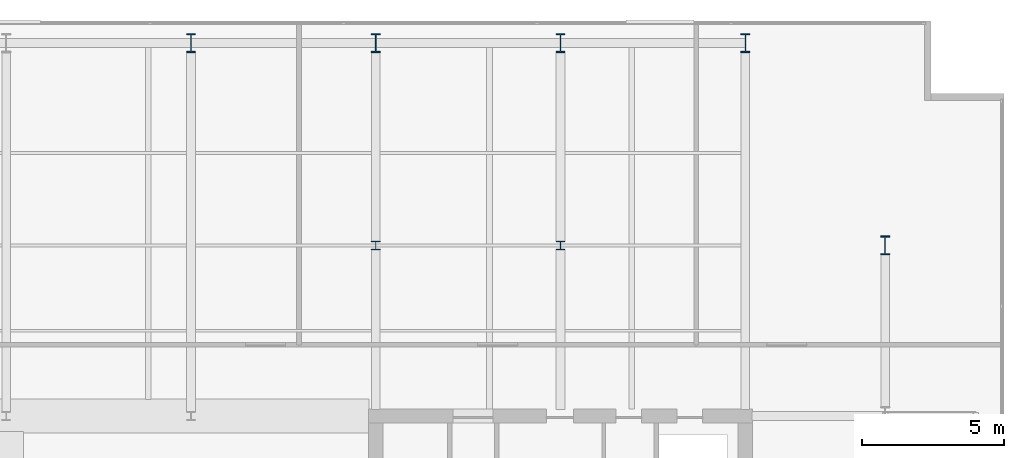
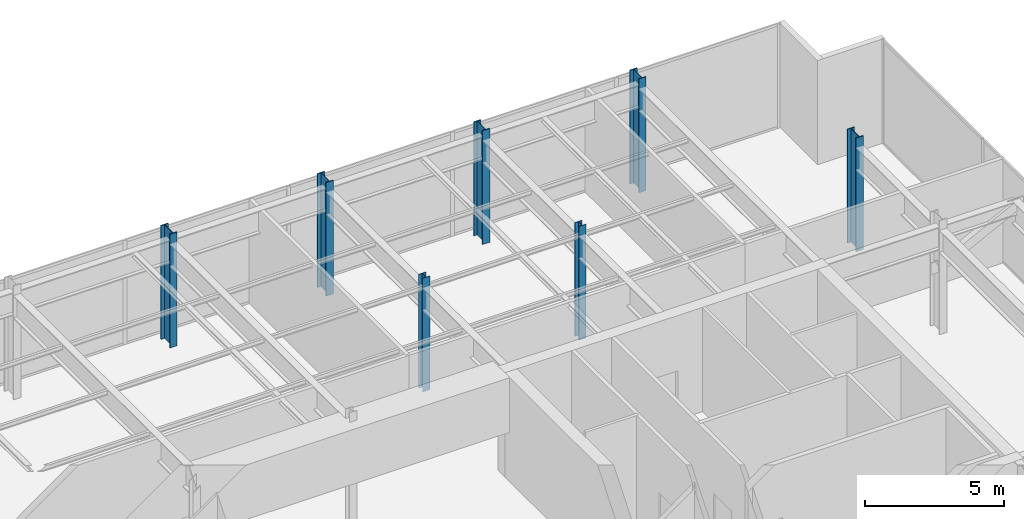
# One storey, part 4 of 21: 7 columns.
"""IFC4 building model written with IfcOpenShell, lengths in metres."""

from ifc_helpers import new_model, si_unit, direction, frame, origin, origin_2d, place, context, subcontext, project, spatial, i_section, extrude, material, material_profile, profile_set, type_object, element, save


model = new_model("IFC4")

# Units and contexts
model_context = context("Model", 3, precision=1e-05, world=origin(), true_north=direction((0.0, 1.0)))
body_context = subcontext(model_context, "Body", "Model", "MODEL_VIEW")
ifc_project = project(units=[si_unit("LENGTHUNIT", "METRE"), si_unit("AREAUNIT", "SQUARE_METRE"), si_unit("VOLUMEUNIT", "CUBIC_METRE"), si_unit("PLANEANGLEUNIT", "RADIAN"), si_unit("MASSUNIT", "GRAM", prefix="KILO")], contexts=[model_context])

# Site, building, storey
site_placement = place(None, origin())
site = spatial("IfcSite", under=ifc_project, at=site_placement, CompositionType="ELEMENT")
building_placement = place(site_placement, origin())
building = spatial("IfcBuilding", under=site, at=building_placement, Name="Putna Gate Headquarters", CompositionType="ELEMENT")
storey_placement = place(building_placement, frame((0.0, 0.0, 315.39990234375)))
storey = spatial("IfcBuildingStorey", under=building, at=storey_placement, Name="L79", CompositionType="ELEMENT", Elevation=315.39990234375)

# Columns
ifc_material = material(Name="Steel S460M", Category="steel")
ifc_material_profile_1 = material_profile(ifc_material, i_section(OverallWidth=0.300048828125, OverallDepth=0.300048828125, WebThickness=0.010986328125, FlangeThickness=0.01904296875, at=origin_2d()), Name="Steel S460M")
ifc_profile_set_1 = profile_set([ifc_material_profile_1], Name="Steel S460M")
column_type_1 = type_object("IfcColumnType", Name="COL-STL-HEB300-CRN", PredefinedType="COLUMN", material=ifc_profile_set_1)
for number, where, z_axis, x_axis, name in (
    (1, (58.5, 39.0, 0.0), (0.0, 0.0, 1.0), (1.0, 0.0, 0.0), "L79 Column CSI-EN"),
    (2, (52.0, 39.0, 0.0), (0.0, 0.0, 1.0), (1.0, 0.0, 0.0), "L79 Column CAP-EN"),
):
    element("IfcColumn", number, at=place(storey_placement, frame(where, z_axis=z_axis, x_axis=x_axis)), inside=storey, type_object=column_type_1, Name=name, PredefinedType="COLUMN", context=body_context, shape_type="SweptSolid", body=[
        extrude(i_section(OverallWidth=0.300048828125, OverallDepth=0.300048828125, WebThickness=0.010986328125, FlangeThickness=0.01904296875, at=origin_2d()), origin(), (0.0, 0.0, 1.0), 5.0),
    ])
ifc_material_profile_2 = material_profile(ifc_material, i_section(OverallWidth=0.304931640625, OverallDepth=0.66796875, WebThickness=0.02099609375, FlangeThickness=0.0400390625, at=origin_2d()), Name="Steel S460M")
ifc_profile_set_2 = profile_set([ifc_material_profile_2], Name="Steel S460M")
column_type_2 = type_object("IfcColumnType", Name="COL-STL-HEM650-EXT", PredefinedType="COLUMN", material=ifc_profile_set_2)
for number, where, z_axis, x_axis, name in (
    (3, (45.5, 46.1201171875, 0.0), (0.0, 0.0, 1.0), (1.0, 0.0, 0.0), "L79 Column CP-N45"),
    (4, (52.0, 46.1201171875, 0.0), (0.0, 0.0, 1.0), (1.0, 0.0, 0.0), "L79 Column CP-N52"),
    (5, (58.5, 46.1201171875, 0.0), (0.0, 0.0, 1.0), (1.0, 0.0, 0.0), "L79 Column CP-N58"),
    (6, (65.0, 46.1201171875, 0.0), (0.0, 0.0, 1.0), (1.0, 0.0, 0.0), "L79 Column CP-N65"),
    (7, (69.919921875, 39.0, 0.0), (0.0, 0.0, 1.0), (1.0, 0.0, 0.0), "L79 Column CP-E39"),
):
    element("IfcColumn", number, at=place(storey_placement, frame(where, z_axis=z_axis, x_axis=x_axis)), inside=storey, type_object=column_type_2, Name=name, PredefinedType="COLUMN", context=body_context, shape_type="SweptSolid", body=[
        extrude(i_section(OverallWidth=0.304931640625, OverallDepth=0.66796875, WebThickness=0.02099609375, FlangeThickness=0.0400390625, at=origin_2d()), origin(), (0.0, 0.0, 1.0), 5.0),
    ])

save(model, "model.ifc")
